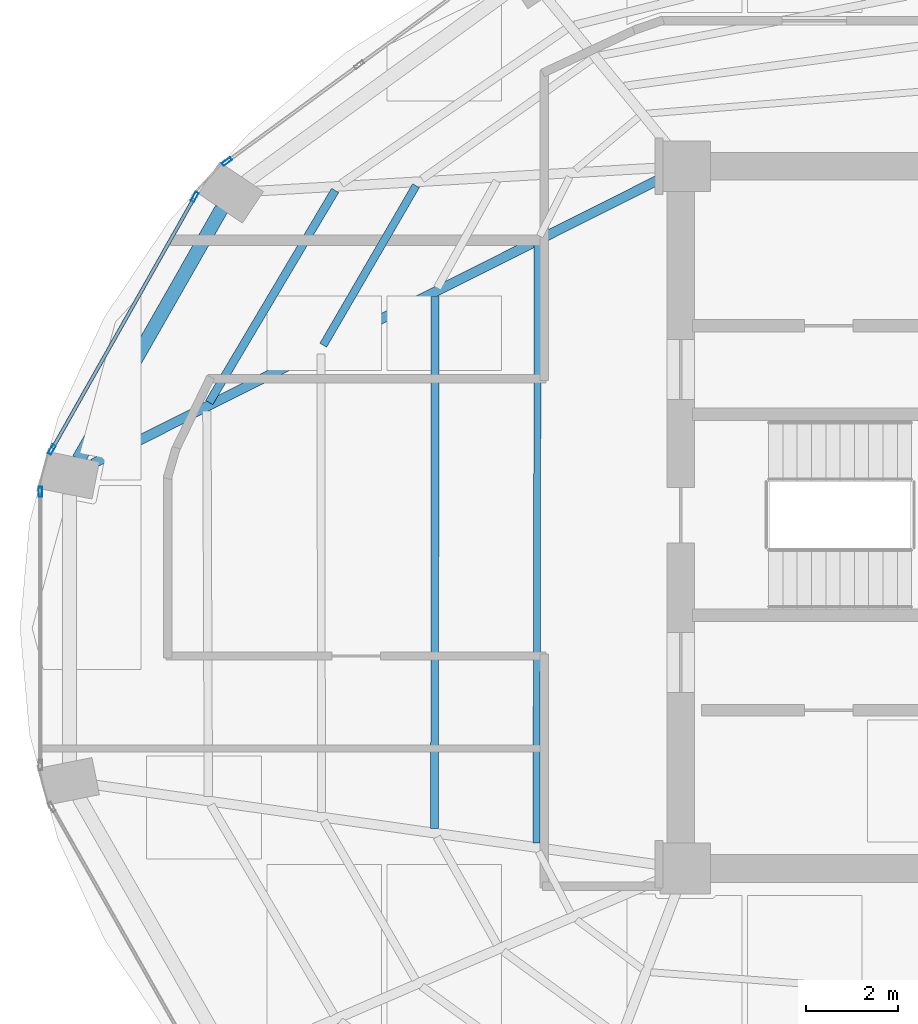
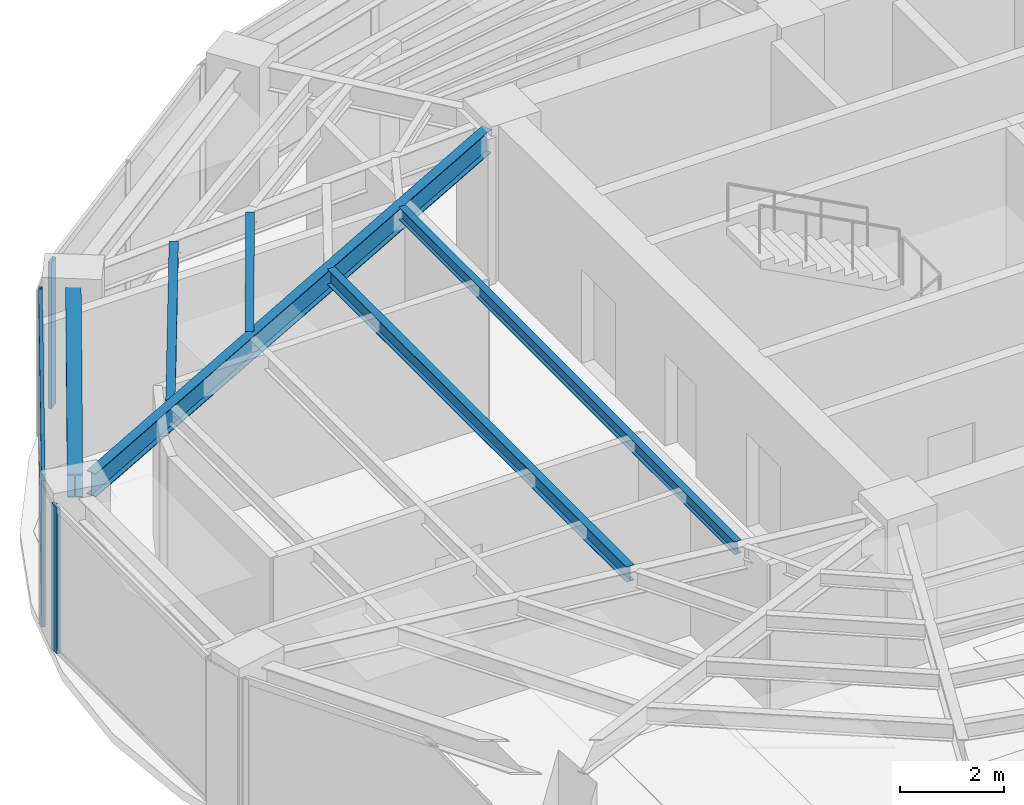
# One storey, part 6 of 19: 6 beams, 6 members, 3 elements without a shape of their own.
"""IFC4 building model written with IfcOpenShell, lengths in metres."""

from ifc_helpers import new_model, si_unit, direction, frame, origin, origin_2d, place, context, subcontext, project, spatial, hollow_rectangle, i_section, extrude, material, layer, layer_set, material_profile, profile_set, type_object, element, aggregate, save


model = new_model("IFC4")

# Units and contexts
model_context = context("Model", 3, precision=1e-05, world=origin(), true_north=direction((0.0, 1.0)))
body_context = subcontext(model_context, "Body", "Model", "MODEL_VIEW")
ifc_project = project(units=[si_unit("LENGTHUNIT", "METRE"), si_unit("AREAUNIT", "SQUARE_METRE"), si_unit("VOLUMEUNIT", "CUBIC_METRE"), si_unit("PLANEANGLEUNIT", "RADIAN"), si_unit("MASSUNIT", "GRAM", prefix="KILO")], contexts=[model_context])

# Site, building, storey
site_placement = place(None, origin())
site = spatial("IfcSite", under=ifc_project, at=site_placement, CompositionType="ELEMENT")
building_placement = place(site_placement, origin())
building = spatial("IfcBuilding", under=site, at=building_placement, Name="Lazwardi Medical Tower", CompositionType="ELEMENT")
storey_placement = place(building_placement, frame((0.0, 0.0, 167.471923828125)))
storey = spatial("IfcBuildingStorey", under=building, at=storey_placement, Name="L43", CompositionType="ELEMENT", Elevation=167.471923828125)

# Beams
ifc_material_1 = material(Name="Steel S355", Category="steel")
ifc_material_profile_1 = material_profile(ifc_material_1, i_section(OverallWidth=0.300048828125, OverallDepth=0.550048828125, WebThickness=0.014892578125, FlangeThickness=0.029052734375, at=origin_2d()), Name="HEB 550")
ifc_profile_set_1 = profile_set([ifc_material_profile_1], Name="Steel S355")
beam_type_1 = type_object("IfcBeamType", Name="BM-RB-Z3", PredefinedType="BEAM", material=ifc_profile_set_1)
beam_1_placement = place(storey_placement, frame((16.3662109375, 34.683349609375, 3.153076171875), z_axis=(-0.495477752551, -0.868620628771, 0.0), x_axis=(0.868620628771, -0.495477752551, 0.0)))
element("IfcBeam", 1, at=beam_1_placement, inside=storey, type_object=beam_type_1, Name="Ring beam RB-04 B11 L43", PredefinedType="BEAM", context=body_context, shape_type="SweptSolid", body=[
    extrude(i_section(OverallWidth=0.300048828125, OverallDepth=0.550048828125, WebThickness=0.014892578125, FlangeThickness=0.029052734375, at=origin_2d()), origin(), (0.0, 0.0, 1.0), 6.244384765625),
])
ifc_material_profile_2 = material_profile(ifc_material_1, i_section(OverallWidth=0.2099609375, OverallDepth=0.550048828125, WebThickness=0.010986328125, FlangeThickness=0.01708984375, at=origin_2d()), Name="IPE 550")
ifc_profile_set_2 = profile_set([ifc_material_profile_2], Name="Steel S355")
beam_type_2 = type_object("IfcBeamType", Name="BM-RG-W2", PredefinedType="BEAM", material=ifc_profile_set_2)
beam_2_placement = place(storey_placement, frame((13.57470703125, 29.162841796875, 3.153076171875), z_axis=(0.893740468624, 0.448584412061, 0.0), x_axis=(-0.448584412061, 0.893740468624, 0.0)))
element("IfcBeam", 2, at=beam_2_placement, inside=storey, type_object=beam_type_2, Name="Radial girder RG-03 R12 L43", PredefinedType="BEAM", context=body_context, shape_type="SweptSolid", body=[
    extrude(i_section(OverallWidth=0.2099609375, OverallDepth=0.550048828125, WebThickness=0.010986328125, FlangeThickness=0.01708984375, at=origin_2d()), origin(), (0.0, 0.0, 1.0), 13.815185546875),
])
ifc_material_profile_3 = material_profile(ifc_material_1, i_section(OverallWidth=0.179931640625, OverallDepth=0.39990234375, WebThickness=0.008544921875, FlangeThickness=0.013427734375, at=origin_2d()), Name="IPE 400")
ifc_profile_set_3 = profile_set([ifc_material_profile_3], Name="Steel S355")
beam_type_3 = type_object("IfcBeamType", Name="BM-SJ-01", PredefinedType="JOIST", material=ifc_profile_set_3)
beam_3_placement = place(storey_placement, frame((18.82080078125, 35.078369140625, 3.22802734375), z_axis=(-0.510569396963, -0.859836548935, 0.0), x_axis=(0.859836548935, -0.510569396963, 0.0)))
element("IfcBeam", 3, at=beam_3_placement, inside=storey, type_object=beam_type_3, Name="Secondary joist SJ-01 R1 B11 L43", PredefinedType="JOIST", context=body_context, shape_type="SweptSolid", body=[
    extrude(i_section(OverallWidth=0.179931640625, OverallDepth=0.39990234375, WebThickness=0.008544921875, FlangeThickness=0.013427734375, at=origin_2d()), origin(), (0.0, 0.0, 1.0), 5.33837890625),
])
ifc_material_profile_4 = material_profile(ifc_material_1, i_section(OverallWidth=0.169921875, OverallDepth=0.360107421875, WebThickness=0.008056640625, FlangeThickness=0.0126953125, at=origin_2d()), Name="IPE 360")
ifc_profile_set_4 = profile_set([ifc_material_profile_4], Name="Steel S355")
beam_type_4 = type_object("IfcBeamType", Name="BM-SJ-02", PredefinedType="JOIST", material=ifc_profile_set_4)
beam_4_placement = place(storey_placement, frame((20.5703125, 35.17919921875, 3.248046875), z_axis=(-0.502665102216, -0.864481228839, 0.0), x_axis=(0.864481228839, -0.502665102216, 0.0)))
element("IfcBeam", 4, at=beam_4_placement, inside=storey, type_object=beam_type_4, Name="Secondary joist SJ-02 R2 B11 L43", PredefinedType="JOIST", context=body_context, shape_type="SweptSolid", body=[
    extrude(i_section(OverallWidth=0.169921875, OverallDepth=0.360107421875, WebThickness=0.008056640625, FlangeThickness=0.0126953125, at=origin_2d()), origin(), (0.0, 0.0, 1.0), 3.991943359375),
])
beam_5_placement = place(storey_placement, frame((20.98291015625, 32.78125, 3.248046875), z_axis=(-0.000805852776, -0.999999675301, 0.0), x_axis=(0.999999675301, -0.000805852776, 0.0)))
element("IfcBeam", 5, at=beam_5_placement, inside=storey, type_object=beam_type_4, Name="Secondary joist SJ-02 R3 B12 L43", PredefinedType="JOIST", context=body_context, shape_type="SweptSolid", body=[
    extrude(i_section(OverallWidth=0.169921875, OverallDepth=0.360107421875, WebThickness=0.008056640625, FlangeThickness=0.0126953125, at=origin_2d()), origin(), (0.0, 0.0, 1.0), 11.512451171875),
])
ifc_material_profile_5 = material_profile(ifc_material_1, i_section(OverallWidth=0.14990234375, OverallDepth=0.300048828125, WebThickness=0.007080078125, FlangeThickness=0.0107421875, at=origin_2d()), Name="IPE 300")
ifc_profile_set_5 = profile_set([ifc_material_profile_5], Name="Steel S355")
beam_type_5 = type_object("IfcBeamType", Name="BM-SJ-03", PredefinedType="JOIST", material=ifc_profile_set_5)
beam_6_placement = place(storey_placement, frame((23.205078125, 33.896484375, 3.278076171875), z_axis=(-0.002150897838, -0.999997686817, 0.0), x_axis=(0.999997686817, -0.002150897838, 0.0)))
element("IfcBeam", 6, at=beam_6_placement, inside=storey, type_object=beam_type_5, Name="Secondary joist SJ-03 R4 B12 L43", PredefinedType="JOIST", context=body_context, shape_type="SweptSolid", body=[
    extrude(i_section(OverallWidth=0.14990234375, OverallDepth=0.300048828125, WebThickness=0.007080078125, FlangeThickness=0.0107421875, at=origin_2d()), origin(), (0.0, 0.0, 1.0), 12.939697265625),
])

# Curtain wall, member
ifc_material_2 = material(Name="Anodised bronze aluminium and solar control glazing", Category="aluminium")
ifc_layer = layer(ifc_material_2, 0.195068359375)
ifc_layer_set = layer_set([ifc_layer], Name="Anodised bronze aluminium and solar control glazing")
curtain_wall_type = type_object("IfcCurtainWallType", Name="CW-SYS-03", PredefinedType="NOTDEFINED", material=ifc_layer_set)
curtain_wall_1_placement = place(storey_placement, origin())
curtain_wall_1 = element("IfcCurtainWall", 7, at=curtain_wall_1_placement, inside=storey, type_object=curtain_wall_type, Name="L43 Unitised bronze curtain wall CW-03", PredefinedType="NOTDEFINED")
ifc_material_3 = material(Name="Anodised bronze aluminium", Category="aluminium")
ifc_material_profile_6 = material_profile(ifc_material_3, hollow_rectangle(XDim=0.074951171875, YDim=0.219970703125, WallThickness=0.00390625, at=origin_2d()), Name="ALU-MULLION 220x75x4")
ifc_profile_set_6 = profile_set([ifc_material_profile_6], Name="Anodised bronze aluminium")
member_type_1 = type_object("IfcMemberType", Name="CW-MUL-01", PredefinedType="MULLION", material=ifc_profile_set_6)
member_1_placement = place(storey_placement, frame((16.480224609375, 35.702880859375, 0.0), z_axis=(0.0, 0.0, 1.0), x_axis=(0.590833862635, -0.806793249082, 0.0)))
member_1 = element("IfcMember", 8, at=member_1_placement, type_object=member_type_1, Name="CW-03 mullion 3", PredefinedType="MULLION", context=body_context, shape_type="SweptSolid", body=[
    extrude(hollow_rectangle(XDim=0.074951171875, YDim=0.219970703125, WallThickness=0.00390625, at=origin_2d()), origin(), (0.0, 0.0, 1.0), 3.427978515625),
])
aggregate(curtain_wall_1, [member_1])

# Curtain wall, members
curtain_wall_2_placement = place(storey_placement, origin())
curtain_wall_2 = element("IfcCurtainWall", 9, at=curtain_wall_2_placement, inside=storey, type_object=curtain_wall_type, Name="L43 Unitised bronze curtain wall CW-03", PredefinedType="NOTDEFINED")
member_2_placement = place(storey_placement, frame((15.782470703125, 34.936767578125, 0.0), z_axis=(0.0, 0.0, 1.0), x_axis=(0.870418989303, -0.492311672683, 0.0)))
member_2 = element("IfcMember", 10, at=member_2_placement, type_object=member_type_1, Name="CW-03 mullion 1", PredefinedType="MULLION", context=body_context, shape_type="SweptSolid", body=[
    extrude(hollow_rectangle(XDim=0.074951171875, YDim=0.219970703125, WallThickness=0.00390625, at=origin_2d()), origin(), (0.0, 0.0, 1.0), 3.427978515625),
])
member_3_placement = place(storey_placement, frame((12.68896484375, 29.46728515625, 0.0), z_axis=(0.0, 0.0, 1.0), x_axis=(0.870418989303, -0.492311672683, 0.0)))
member_3 = element("IfcMember", 11, at=member_3_placement, type_object=member_type_1, Name="CW-03 mullion 2", PredefinedType="MULLION", context=body_context, shape_type="SweptSolid", body=[
    extrude(hollow_rectangle(XDim=0.074951171875, YDim=0.219970703125, WallThickness=0.00390625, at=origin_2d()), origin(), (0.0, 0.0, 1.0), 3.427978515625),
])

# Curtain wall, member
curtain_wall_3_placement = place(storey_placement, origin())
curtain_wall_3 = element("IfcCurtainWall", 12, at=curtain_wall_3_placement, inside=storey, type_object=curtain_wall_type, Name="L43 Unitised bronze curtain wall CW-03", PredefinedType="NOTDEFINED")
member_4_placement = place(storey_placement, frame((12.4423828125, 28.557861328125, 0.0), z_axis=(0.0, 0.0, 1.0), x_axis=(1.0, 0.0, 0.0)))
member_4 = element("IfcMember", 13, at=member_4_placement, type_object=member_type_1, Name="CW-03 mullion 1", PredefinedType="MULLION", context=body_context, shape_type="SweptSolid", body=[
    extrude(hollow_rectangle(XDim=0.074951171875, YDim=0.219970703125, WallThickness=0.00390625, at=origin_2d()), origin(), (0.0, 0.0, 1.0), 3.427978515625),
])
aggregate(curtain_wall_3, [member_4])

# Member
ifc_material_profile_7 = material_profile(ifc_material_3, hollow_rectangle(XDim=0.074951171875, YDim=0.159912109375, WallThickness=0.00390625, at=origin_2d()), Name="ALU-TRANSOM 160x75x4")
ifc_profile_set_7 = profile_set([ifc_material_profile_7], Name="Anodised bronze aluminium")
member_type_2 = type_object("IfcMemberType", Name="CW-TRN-01", PredefinedType="USERDEFINED", material=ifc_profile_set_7)
member_5_placement = place(storey_placement, frame((15.763916015625, 34.904052734375, 0.03759765625), z_axis=(-0.492322860598, -0.870412661289, 0.0), x_axis=(0.870412661289, -0.492322860598, 0.0)))
member_5 = element("IfcMember", 14, at=member_5_placement, type_object=member_type_2, Name="CW-03 transom 1.1", ObjectType="TRANSOM", PredefinedType="USERDEFINED", context=body_context, shape_type="SweptSolid", body=[
    extrude(hollow_rectangle(XDim=0.074951171875, YDim=0.159912109375, WallThickness=0.00390625, at=origin_2d()), origin(), (0.0, 0.0, 1.0), 6.20849609375),
])

member_6_placement = place(storey_placement, frame((15.763916015625, 34.904052734375, 3.390625), z_axis=(-0.492322860598, -0.870412661289, 0.0), x_axis=(0.870412661289, -0.492322860598, 0.0)))
member_6 = element("IfcMember", 15, at=member_6_placement, type_object=member_type_2, Name="CW-03 transom 1.2", ObjectType="TRANSOM", PredefinedType="USERDEFINED", context=body_context, shape_type="SweptSolid", body=[
    extrude(hollow_rectangle(XDim=0.074951171875, YDim=0.159912109375, WallThickness=0.00390625, at=origin_2d()), origin(), (0.0, 0.0, 1.0), 6.20849609375),
])

aggregate(curtain_wall_2, [member_2, member_3, member_5, member_6])

save(model, "model.ifc")
